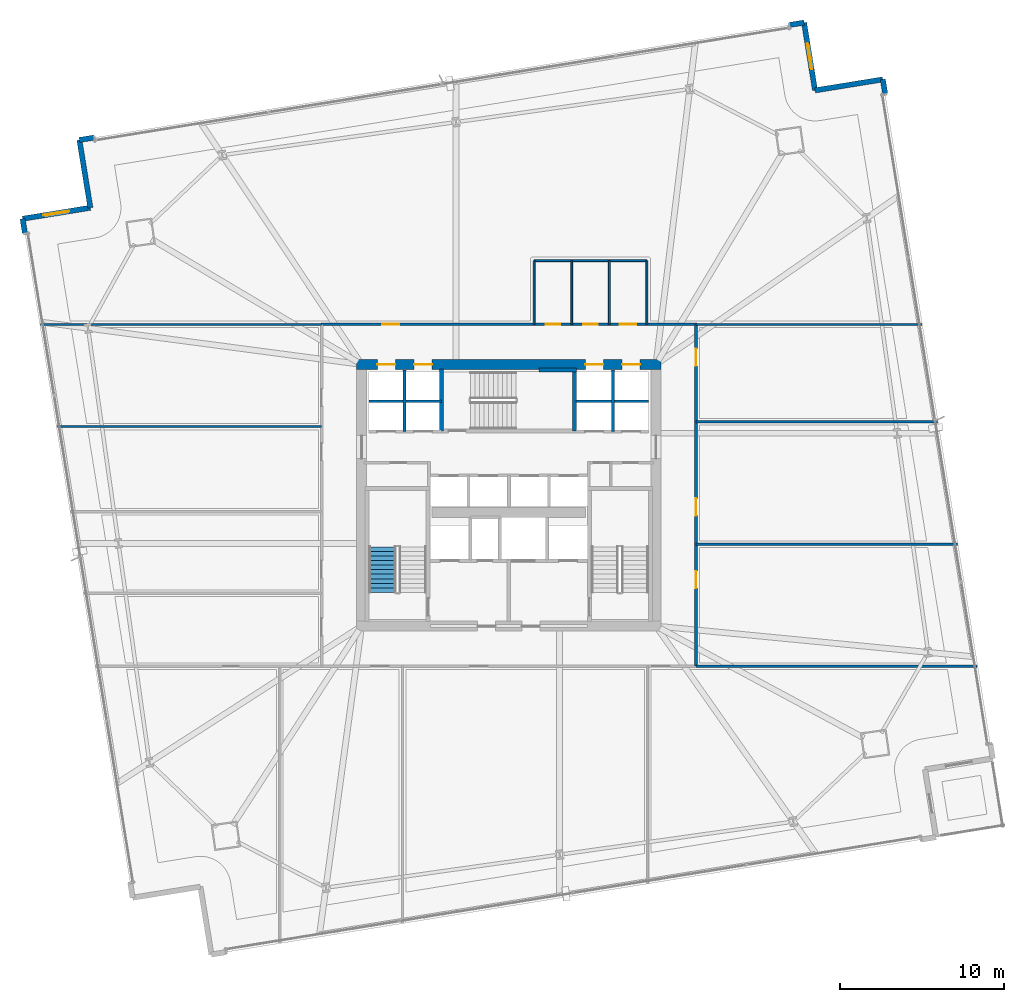
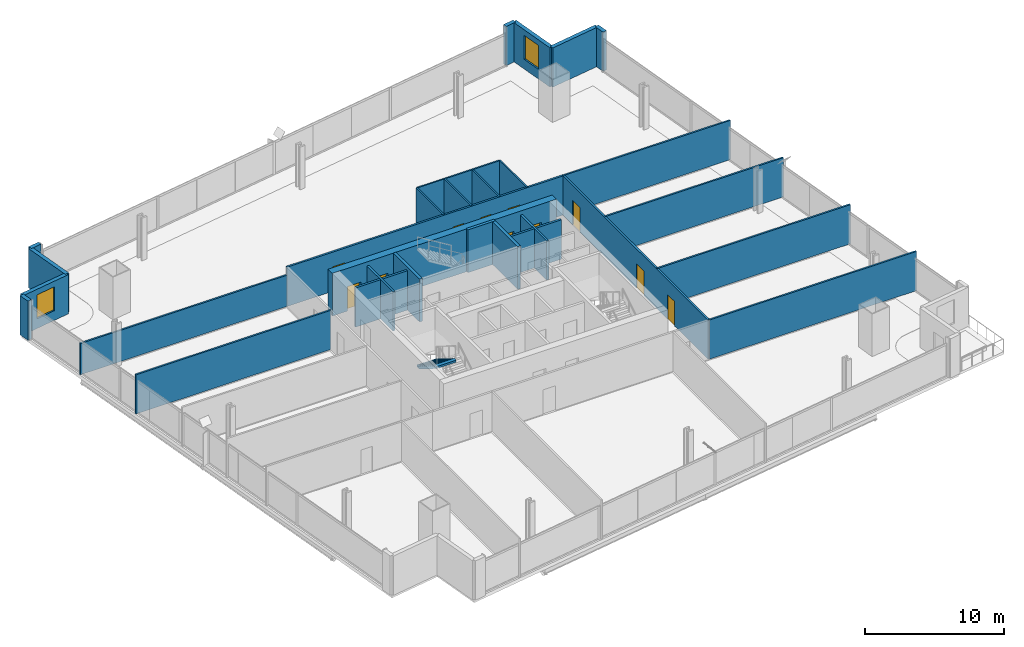
# One storey, part 27 of 33: 29 walls, 11 doors, 2 windows, 1 stair flight, 13 openings, 1 element without a shape of its own.
"""IFC4 building model written with IfcOpenShell, lengths in metres."""

import ifcopenshell
import ifcopenshell.guid

model = None  # the IFC model being written
_history = None  # IfcOwnerHistory: only IFC2X3 demands one
_inside = {}  # id of a spatial element -> (the spatial element, [elements in it])
_under = {}  # id of a project, library or spatial element -> (it, [spatial elements below it])
_declared = {}  # id of a project -> (the project, [libraries it declares])
_typed = {}  # id of a type object -> (the type object, [elements of that type])
_made_of = {}  # id of a material, layer set ... -> (it, [elements and type objects made of it])


def new_model(schema):
    """Start an empty IFC model of exactly this schema.

    Asked for "IFC4X3", IfcOpenShell would pick the latest addendum, in which some entities
    have other attributes; the version numbers below select the first issue.
    IFC2X3 requires an IfcOwnerHistory on every rooted entity: one is made here for all.
    """
    global model, _history
    if schema == "IFC4X3":
        model = ifcopenshell.file(schema_version=(4, 3, 0, 0))
    else:
        model = ifcopenshell.file(schema=schema)
    _inside.clear()
    _under.clear()
    _declared.clear()
    _typed.clear()
    _made_of.clear()
    _history = None
    if model.schema == "IFC2X3":
        org = make("IfcOrganization", Name="unknown")
        user = make(
            "IfcPersonAndOrganization",
            ThePerson=make("IfcPerson", FamilyName="unknown"),
            TheOrganization=org,
        )
        app = make(
            "IfcApplication",
            ApplicationDeveloper=org,
            Version="unknown",
            ApplicationFullName="unknown",
            ApplicationIdentifier="unknown",
        )
        _history = make(
            "IfcOwnerHistory",
            OwningUser=user,
            OwningApplication=app,
            ChangeAction="ADDED",
            CreationDate=0,
        )
    return model


def make(cls, **values):
    """One entity of the class cls with the attributes given. An attribute that is None is left unset."""
    return model.create_entity(
        cls, **{name: value for name, value in values.items() if value is not None}
    )


def rooted(cls, **values):
    """An entity with a GlobalId (a new one), such as an element, a storey or a relation."""
    return make(cls, GlobalId=ifcopenshell.guid.new(), OwnerHistory=_history, **values)


def si_unit(unit_type, name, prefix=None):
    """IfcSIUnit, for example si_unit("LENGTHUNIT", "METRE", prefix="MILLI")."""
    return make("IfcSIUnit", UnitType=unit_type, Prefix=prefix, Name=name)


def assignment(units):
    """IfcUnitAssignment: the units of a project."""
    return None if units is None else make("IfcUnitAssignment", Units=units)


def point(xyz):
    """IfcCartesianPoint."""
    return None if xyz is None else make("IfcCartesianPoint", Coordinates=xyz)


def direction(xyz):
    """IfcDirection."""
    return None if xyz is None else make("IfcDirection", DirectionRatios=xyz)


def frame(location, z_axis=None, x_axis=None):
    """IfcAxis2Placement3D, a coordinate frame: its origin and axes. An axis left out is left unset."""
    return make(
        "IfcAxis2Placement3D",
        Location=point(location),
        Axis=direction(z_axis),
        RefDirection=direction(x_axis),
    )


def frame_2d(location, x_axis=None):
    """IfcAxis2Placement2D, a coordinate frame in the plane: its origin and x axis."""
    return make(
        "IfcAxis2Placement2D", Location=point(location), RefDirection=direction(x_axis)
    )


def origin():
    """The frame at (0, 0, 0) with its axes left unset."""
    return frame((0.0, 0.0, 0.0))


def place(relative_to, where):
    """IfcLocalPlacement: puts the frame where relative to a parent placement (None: the world)."""
    return make(
        "IfcLocalPlacement", PlacementRelTo=relative_to, RelativePlacement=where
    )


def context(
    kind, dimensions, precision=None, world=None, true_north=None, identifier=None
):
    """IfcGeometricRepresentationContext, for example the 3D "Model" context."""
    return make(
        "IfcGeometricRepresentationContext",
        ContextIdentifier=identifier,
        ContextType=kind,
        CoordinateSpaceDimension=dimensions,
        Precision=precision,
        WorldCoordinateSystem=world,
        TrueNorth=true_north,
    )


def subcontext(parent, identifier, kind, view, scale=None):
    """IfcGeometricRepresentationSubContext, for example "Body" below "Model"."""
    return make(
        "IfcGeometricRepresentationSubContext",
        ContextIdentifier=identifier,
        ContextType=kind,
        ParentContext=parent,
        TargetScale=scale,
        TargetView=view,
    )


def project(units=None, contexts=None):
    """IfcProject with its units and contexts."""
    return rooted(
        "IfcProject",
        Name="project",
        RepresentationContexts=contexts,
        UnitsInContext=assignment(units),
    )


def spatial(cls, under=None, at=None, **own):
    """A site, building, storey or space (cls), placed at a placement, below another one or the project."""
    s = rooted(cls, ObjectPlacement=at, **own)
    if under is not None:
        _under.setdefault(under.id(), (under, []))[1].append(s)
    return s


def polyline(points):
    """IfcPolyline through the points."""
    return make("IfcPolyline", Points=[point(p) for p in points])


def profile(cls, at=None, kind="AREA", **sizes):
    """A parametric profile (cls). Its sizes go by their IFC names, for example OverallWidth=200.0."""
    return make(cls, ProfileType=kind, Position=at, **sizes)


def rectangle(**sizes):
    """IfcRectangleProfileDef."""
    return profile("IfcRectangleProfileDef", **sizes)


def outline(outer, holes=None, kind="AREA"):
    """IfcArbitraryClosedProfileDef: a profile drawn as a closed curve; with holes, ...WithVoids."""
    if holes is None:
        return make("IfcArbitraryClosedProfileDef", ProfileType=kind, OuterCurve=outer)
    return make(
        "IfcArbitraryProfileDefWithVoids",
        ProfileType=kind,
        OuterCurve=outer,
        InnerCurves=holes,
    )


def extrude(swept, where, along, depth):
    """IfcExtrudedAreaSolid: the profile swept, set in the frame where, extruded along a direction by depth."""
    return make(
        "IfcExtrudedAreaSolid",
        SweptArea=swept,
        Position=where,
        ExtrudedDirection=direction(along),
        Depth=depth,
    )


def shape(context_of_items, identifier, shape_type, items):
    """IfcShapeRepresentation: the items that make up one representation, for example the "Body"."""
    return make(
        "IfcShapeRepresentation",
        ContextOfItems=context_of_items,
        RepresentationIdentifier=identifier,
        RepresentationType=shape_type,
        Items=items,
    )


def material(Name=None, Category=None):
    """IfcMaterial."""
    return make("IfcMaterial", Name=Name, Category=Category)


def layer(
    of_material, thickness, ventilated=None, Name=None, Category=None, Priority=None
):
    """IfcMaterialLayer: one layer of a wall or slab, of a material (None: an air gap)."""
    return make(
        "IfcMaterialLayer",
        Material=of_material,
        LayerThickness=thickness,
        IsVentilated=ventilated,
        Name=Name,
        Category=Category,
        Priority=Priority,
    )


def layer_set(layers, Name=None):
    """IfcMaterialLayerSet."""
    return make("IfcMaterialLayerSet", MaterialLayers=layers, LayerSetName=Name)


def made_of(thing, what):
    """Note that an element or type object is made of a material, layer set ...; save() writes the relation."""
    if what is not None:
        _made_of.setdefault(what.id(), (what, []))[1].append(thing)
    return thing


def type_object(cls, material=None, **own):
    """A type object (cls), such as IfcWallType, which elements share."""
    return made_of(rooted(cls, **own), material)


def element(
    cls,
    number,
    at=None,
    inside=None,
    cuts=None,
    type_object=None,
    material=None,
    context=None,
    identifier="Body",
    shape_type=None,
    held_by="IfcProductDefinitionShape",
    body=None,
    shapes=None,
    **own,
):
    """One element of the class cls, such as IfcWall. Its Tag is "e" and its number.

    at: its placement. inside: the storey or other place that contains it. cuts: it is an
    opening in that element (IfcRelVoidsElement). A single representation is given by context,
    identifier, shape_type and body (its items); several are given by shapes. held_by: the class
    of the entity that holds the representations. save() writes the other relations.
    """
    e = rooted(cls, Tag="e%d" % number, ObjectPlacement=at, **own)
    if body is not None:
        shapes = [shape(context, identifier, shape_type, body)]
    if shapes is not None:
        e.Representation = make(held_by, Representations=shapes)
    if inside is not None:
        _inside.setdefault(inside.id(), (inside, []))[1].append(e)
    if cuts is not None:
        rooted(
            "IfcRelVoidsElement", RelatingBuildingElement=cuts, RelatedOpeningElement=e
        )
    if type_object is not None:
        _typed.setdefault(type_object.id(), (type_object, []))[1].append(e)
    return made_of(e, material)


def fill(opening, filler):
    """IfcRelFillsElement: the door or window that sits in an opening."""
    return rooted(
        "IfcRelFillsElement",
        RelatingOpeningElement=opening,
        RelatedBuildingElement=filler,
    )


def aggregate(whole, parts):
    """IfcRelAggregates: a whole, such as a stair, and the parts it consists of."""
    return rooted("IfcRelAggregates", RelatingObject=whole, RelatedObjects=parts)


def save(model, path):
    """Write the relations noted so far, then the file.

    IfcRelAggregates (storeys below a building ...), IfcRelContainedInSpatialStructure (elements
    in a storey), IfcRelDefinesByType, IfcRelAssociatesMaterial and IfcRelDeclares: one each for
    every whole, place, type object, material and project.
    """
    for whole, parts in _under.values():
        aggregate(whole, parts)
    for where, things in _inside.values():
        rooted(
            "IfcRelContainedInSpatialStructure",
            RelatedElements=things,
            RelatingStructure=where,
        )
    for kind, things in _typed.values():
        rooted("IfcRelDefinesByType", RelatedObjects=things, RelatingType=kind)
    for what, things in _made_of.values():
        rooted("IfcRelAssociatesMaterial", RelatedObjects=things, RelatingMaterial=what)
    for by, libraries in _declared.values():
        rooted("IfcRelDeclares", RelatingContext=by, RelatedDefinitions=libraries)
    model.write(path)


model = new_model("IFC4")

# Units and contexts
model_context = context("Model", 3, precision=1e-05, world=origin(), true_north=direction((0.0, 1.0)))
body_context = subcontext(model_context, "Body", "Model", "MODEL_VIEW")
ifc_project = project(units=[si_unit("LENGTHUNIT", "METRE"), si_unit("AREAUNIT", "SQUARE_METRE"), si_unit("VOLUMEUNIT", "CUBIC_METRE"), si_unit("PLANEANGLEUNIT", "RADIAN"), si_unit("MASSUNIT", "GRAM", prefix="KILO")], contexts=[model_context])

# Site, building, storey
site_placement = place(None, origin())
site = spatial("IfcSite", under=ifc_project, at=site_placement, CompositionType="ELEMENT")
building_placement = place(site_placement, origin())
building = spatial("IfcBuilding", under=site, at=building_placement, Name="Haldenkirk Collegiate Tower", CompositionType="ELEMENT")
storey_placement = place(building_placement, frame((0.0, 0.0, 58.949951171875)))
storey = spatial("IfcBuildingStorey", under=building, at=storey_placement, Name="L13", CompositionType="ELEMENT", Elevation=58.949951171875)

# Wall, openings, doors
ifc_material_1 = material(Name="Concrete f'c 70 MPa", Category="concrete")
ifc_layer_1 = layer(ifc_material_1, 0.60009765625)
ifc_layer_set_1 = layer_set([ifc_layer_1], Name="Concrete f'c 70 MPa")
wall_type_1 = type_object("IfcWallType", Name="WL-CORE-600", PredefinedType="SHEAR", material=ifc_layer_set_1)
wall_1_placement = place(storey_placement, frame((26.699951171875, 34.0, 0.0), z_axis=(0.0, 0.0, 1.0), x_axis=(1.0, 0.0, 0.0)))
wall_1 = element("IfcWall", 1, at=wall_1_placement, inside=storey, type_object=wall_type_1, Name="L13 central core shear wall N", PredefinedType="SHEAR", context=body_context, shape_type="SweptSolid", body=[
    extrude(rectangle(XDim=18.60009765625, YDim=0.60009765625, at=frame_2d((9.300048828125, 0.0))), origin(), (0.0, 0.0, 1.0), 3.75),
])
opening_1_placement = place(wall_1_placement, frame((1.264892578125, 0.0, 0.0)))
opening_1 = element("IfcOpeningElement", 2, at=opening_1_placement, cuts=wall_1, Name="Opening LD-11", PredefinedType="OPENING", context=body_context, shape_type="SweptSolid", body=[
    extrude(rectangle(XDim=1.10009765625, YDim=2.14990234375, at=frame_2d((0.550048828125, 1.074951171875))), frame((0.0, 0.31005859375, 0.0), z_axis=(0.0, -1.0, 0.0), x_axis=(1.0, 0.0, 0.0)), (0.0, 0.0, 1.0), 0.6201171875),
])
opening_2_placement = place(wall_1_placement, frame((3.514892578125, 0.0, 0.0)))
opening_2 = element("IfcOpeningElement", 3, at=opening_2_placement, cuts=wall_1, Name="Opening LD-11", PredefinedType="OPENING", context=body_context, shape_type="SweptSolid", body=[
    extrude(rectangle(XDim=1.10009765625, YDim=2.14990234375, at=frame_2d((0.550048828125, 1.074951171875))), frame((0.0, 0.31005859375, 0.0), z_axis=(0.0, -1.0, 0.0), x_axis=(1.0, 0.0, 0.0)), (0.0, 0.0, 1.0), 0.6201171875),
])
opening_3_placement = place(wall_1_placement, frame((13.985107421875, 0.0, 0.0)))
opening_3 = element("IfcOpeningElement", 4, at=opening_3_placement, cuts=wall_1, Name="Opening LD-11", PredefinedType="OPENING", context=body_context, shape_type="SweptSolid", body=[
    extrude(rectangle(XDim=1.10009765625, YDim=2.14990234375, at=frame_2d((0.550048828125, 1.074951171875))), frame((0.0, 0.31005859375, 0.0), z_axis=(0.0, -1.0, 0.0), x_axis=(1.0, 0.0, 0.0)), (0.0, 0.0, 1.0), 0.6201171875),
])
opening_4_placement = place(wall_1_placement, frame((16.235107421875, 0.0, 0.0)))
opening_4 = element("IfcOpeningElement", 5, at=opening_4_placement, cuts=wall_1, Name="Opening LD-11", PredefinedType="OPENING", context=body_context, shape_type="SweptSolid", body=[
    extrude(rectangle(XDim=1.10009765625, YDim=2.14990234375, at=frame_2d((0.550048828125, 1.074951171875))), frame((0.0, 0.31005859375, 0.0), z_axis=(0.0, -1.0, 0.0), x_axis=(1.0, 0.0, 0.0)), (0.0, 0.0, 1.0), 0.6201171875),
])
ifc_material_2 = material(Name="Brushed architectural stainless steel", Category="steel")
ifc_layer_2 = layer(ifc_material_2, 0.06005859375)
ifc_layer_set_2 = layer_set([ifc_layer_2], Name="Brushed architectural stainless steel")
door_type_1 = type_object("IfcDoorType", Name="LD-PASS-1100", OperationType="NOTDEFINED", PredefinedType="DOOR", material=ifc_layer_set_2)
door_1_placement = place(opening_1_placement, origin())
door_1 = element("IfcDoor", 6, at=door_1_placement, inside=storey, type_object=door_type_1, Name="L13 Elevator PL3 sliding landing door", OperationType="SLIDING_TO_LEFT", OverallHeight=2.14990234375, OverallWidth=1.10009765625, PredefinedType="DOOR", context=body_context, shape_type="SweptSolid", body=[
    extrude(rectangle(XDim=1.10009765625, YDim=2.14990234375, at=frame_2d((0.550048828125, 1.074951171875))), frame((0.0, 0.02490234375, 0.0), z_axis=(0.0, -1.0, 0.0), x_axis=(1.0, 0.0, 0.0)), (0.0, 0.0, 1.0), 0.050048828125),
])
fill(opening_1, door_1)
door_2_placement = place(opening_2_placement, origin())
door_2 = element("IfcDoor", 7, at=door_2_placement, inside=storey, type_object=door_type_1, Name="L13 Elevator PL4 sliding landing door", OperationType="SLIDING_TO_LEFT", OverallHeight=2.14990234375, OverallWidth=1.10009765625, PredefinedType="DOOR", context=body_context, shape_type="SweptSolid", body=[
    extrude(rectangle(XDim=1.10009765625, YDim=2.14990234375, at=frame_2d((0.550048828125, 1.074951171875))), frame((0.0, 0.02490234375, 0.0), z_axis=(0.0, -1.0, 0.0), x_axis=(1.0, 0.0, 0.0)), (0.0, 0.0, 1.0), 0.050048828125),
])
fill(opening_2, door_2)
door_3_placement = place(opening_3_placement, origin())
door_3 = element("IfcDoor", 8, at=door_3_placement, inside=storey, type_object=door_type_1, Name="L13 Elevator PM3 sliding landing door", OperationType="SLIDING_TO_LEFT", OverallHeight=2.14990234375, OverallWidth=1.10009765625, PredefinedType="DOOR", context=body_context, shape_type="SweptSolid", body=[
    extrude(rectangle(XDim=1.10009765625, YDim=2.14990234375, at=frame_2d((0.550048828125, 1.074951171875))), frame((0.0, 0.02490234375, 0.0), z_axis=(0.0, -1.0, 0.0), x_axis=(1.0, 0.0, 0.0)), (0.0, 0.0, 1.0), 0.050048828125),
])
fill(opening_3, door_3)
door_4_placement = place(opening_4_placement, origin())
door_4 = element("IfcDoor", 9, at=door_4_placement, inside=storey, type_object=door_type_1, Name="L13 Elevator PM4 sliding landing door", OperationType="SLIDING_TO_LEFT", OverallHeight=2.14990234375, OverallWidth=1.10009765625, PredefinedType="DOOR", context=body_context, shape_type="SweptSolid", body=[
    extrude(rectangle(XDim=1.10009765625, YDim=2.14990234375, at=frame_2d((0.550048828125, 1.074951171875))), frame((0.0, 0.02490234375, 0.0), z_axis=(0.0, -1.0, 0.0), x_axis=(1.0, 0.0, 0.0)), (0.0, 0.0, 1.0), 0.050048828125),
])
fill(opening_4, door_4)

# Walls
ifc_material_3 = material(Name="Precast concrete f'c 40 MPa", Category="concrete")
ifc_layer_3 = layer(ifc_material_3, 0.320068359375)
ifc_layer_set_3 = layer_set([ifc_layer_3], Name="Precast concrete f'c 40 MPa")
wall_type_2 = type_object("IfcWallType", Name="WL-EXT-TWR-320", PredefinedType="STANDARD", material=ifc_layer_set_3)
wall_2_placement = place(storey_placement, frame((58.877685546875, 51.434814453125, 0.0), z_axis=(0.0, 0.0, 1.0), x_axis=(0.159778256721, -0.987152930745, 0.0)))
element("IfcWall", 10, at=wall_2_placement, inside=storey, type_object=wall_type_2, Name="L13 precast corner pier EL", PredefinedType="STANDARD", context=body_context, shape_type="SweptSolid", body=[
    extrude(rectangle(XDim=0.89990234375, YDim=0.320068359375, at=frame_2d((0.449951171875, 0.0))), origin(), (0.0, 0.0, 1.0), 3.43994140625),
])
wall_3_placement = place(storey_placement, frame((54.731689453125, 50.763427734375, 0.0), z_axis=(0.0, 0.0, 1.0), x_axis=(0.987140703357, 0.159853782489, 0.0)))
element("IfcWall", 11, at=wall_3_placement, inside=storey, type_object=wall_type_2, Name="L13 bronze precast notch wall 05", PredefinedType="STANDARD", context=body_context, shape_type="SweptSolid", body=[
    extrude(rectangle(XDim=4.199951171875, YDim=0.320068359375, at=frame_2d((2.10009765625, 0.0))), origin(), (0.0, 0.0, 1.0), 3.43994140625),
])

# Wall, opening, window
wall_4_placement = place(storey_placement, frame((54.060302734375, 54.909423828125, 0.0), z_axis=(0.0, 0.0, 1.0), x_axis=(0.159853782489, -0.987140703357, 0.0)))
wall_4 = element("IfcWall", 12, at=wall_4_placement, inside=storey, type_object=wall_type_2, Name="L13 bronze precast notch wall 06", PredefinedType="STANDARD", context=body_context, shape_type="SweptSolid", body=[
    extrude(rectangle(XDim=4.199951171875, YDim=0.320068359375, at=frame_2d((2.10009765625, 0.0))), origin(), (0.0, 0.0, 1.0), 3.43994140625),
])
opening_5_placement = place(wall_4_placement, frame((1.300048828125, 0.0, 0.85009765625)))
opening_5 = element("IfcOpeningElement", 13, at=opening_5_placement, cuts=wall_4, Name="Opening W-03", PredefinedType="OPENING", context=body_context, shape_type="SweptSolid", body=[
    extrude(rectangle(XDim=1.60009765625, YDim=2.10009765625, at=frame_2d((0.800048828125, 1.050048828125))), frame((0.0, 0.169921875, 0.0), z_axis=(0.0, -1.0, 0.0), x_axis=(1.0, 0.0, 0.0)), (0.0, 0.0, 1.0), 0.340087890625),
])
ifc_material_4 = material(Name="Low-E argon triple insulating glass", Category="glass")
ifc_layer_4 = layer(ifc_material_4, 0.090087890625)
ifc_layer_set_4 = layer_set([ifc_layer_4], Name="Low-E argon triple insulating glass")
window_type = type_object("IfcWindowType", Name="WN-Z1-1600X2100", PartitioningType="SINGLE_PANEL", PredefinedType="WINDOW", material=ifc_layer_set_4)
window_1_placement = place(opening_5_placement, origin())
window_1 = element("IfcWindow", 14, at=window_1_placement, inside=storey, type_object=window_type, Name="L13 precast-frame academic window 5", OverallHeight=2.10009765625, OverallWidth=1.60009765625, PartitioningType="SINGLE_PANEL", PredefinedType="WINDOW", context=body_context, shape_type="SweptSolid", body=[
    extrude(rectangle(XDim=1.60009765625, YDim=2.10009765625, at=frame_2d((0.800048828125, 1.050048828125))), frame((0.0, 0.030029296875, 0.0), z_axis=(0.0, -1.0, 0.0), x_axis=(1.0, 0.0, 0.0)), (0.0, 0.0, 1.0), 0.06005859375),
])
fill(opening_5, window_1)

# Walls
wall_5_placement = place(storey_placement, frame((9.73779296875, 47.730712890625, 0.0), z_axis=(0.0, 0.0, 1.0), x_axis=(0.987152930745, 0.159778256721, 0.0)))
element("IfcWall", 15, at=wall_5_placement, inside=storey, type_object=wall_type_2, Name="L13 precast corner pier NL", PredefinedType="STANDARD", context=body_context, shape_type="SweptSolid", body=[
    extrude(rectangle(XDim=0.89990234375, YDim=0.320068359375, at=frame_2d((0.449951171875, 0.0))), origin(), (0.0, 0.0, 1.0), 3.43994140625),
])
wall_6_placement = place(storey_placement, frame((53.171875, 54.765380859375, 0.0), z_axis=(0.0, 0.0, 1.0), x_axis=(0.987110110933, 0.160042584625, 0.0)))
element("IfcWall", 16, at=wall_6_placement, inside=storey, type_object=wall_type_2, Name="L13 precast corner pier NR", PredefinedType="STANDARD", context=body_context, shape_type="SweptSolid", body=[
    extrude(rectangle(XDim=0.900146484375, YDim=0.320068359375, at=frame_2d((0.4501953125, 0.0))), origin(), (0.0, 0.0, 1.0), 3.43994140625),
])
wall_7_placement = place(storey_placement, frame((10.4091796875, 43.584716796875, 0.0), z_axis=(0.0, 0.0, 1.0), x_axis=(-0.159853782489, 0.987140703357, 0.0)))
element("IfcWall", 17, at=wall_7_placement, inside=storey, type_object=wall_type_2, Name="L13 bronze precast notch wall 08", PredefinedType="STANDARD", context=body_context, shape_type="SweptSolid", body=[
    extrude(rectangle(XDim=4.199951171875, YDim=0.320068359375, at=frame_2d((2.10009765625, 0.0))), origin(), (0.0, 0.0, 1.0), 3.43994140625),
])

# Wall, opening, window
wall_8_placement = place(storey_placement, frame((6.263427734375, 42.9130859375, 0.0), z_axis=(0.0, 0.0, 1.0), x_axis=(0.987130042681, 0.159919601167, 0.0)))
wall_8 = element("IfcWall", 18, at=wall_8_placement, inside=storey, type_object=wall_type_2, Name="L13 bronze precast notch wall 09", PredefinedType="STANDARD", context=body_context, shape_type="SweptSolid", body=[
    extrude(rectangle(XDim=4.19970703125, YDim=0.320068359375, at=frame_2d((2.099853515625, 0.0))), origin(), (0.0, 0.0, 1.0), 3.43994140625),
])
opening_6_placement = place(wall_8_placement, frame((1.300048828125, 0.0, 0.85009765625)))
opening_6 = element("IfcOpeningElement", 19, at=opening_6_placement, cuts=wall_8, Name="Opening W-03", PredefinedType="OPENING", context=body_context, shape_type="SweptSolid", body=[
    extrude(rectangle(XDim=1.60009765625, YDim=2.10009765625, at=frame_2d((0.800048828125, 1.050048828125))), frame((0.0, 0.169921875, 0.0), z_axis=(0.0, -1.0, 0.0), x_axis=(1.0, 0.0, 0.0)), (0.0, 0.0, 1.0), 0.340087890625),
])
window_2_placement = place(opening_6_placement, origin())
window_2 = element("IfcWindow", 20, at=window_2_placement, inside=storey, type_object=window_type, Name="L13 precast-frame academic window 8", OverallHeight=2.10009765625, OverallWidth=1.60009765625, PartitioningType="SINGLE_PANEL", PredefinedType="WINDOW", context=body_context, shape_type="SweptSolid", body=[
    extrude(rectangle(XDim=1.60009765625, YDim=2.10009765625, at=frame_2d((0.800048828125, 1.050048828125))), frame((0.0, 0.030029296875, 0.0), z_axis=(0.0, -1.0, 0.0), x_axis=(1.0, 0.0, 0.0)), (0.0, 0.0, 1.0), 0.06005859375),
])
fill(opening_6, window_2)

# Wall
wall_9_placement = place(storey_placement, frame((6.4072265625, 42.02490234375, 0.0), z_axis=(0.0, 0.0, 1.0), x_axis=(-0.159821054309, 0.987146002676, 0.0)))
element("IfcWall", 21, at=wall_9_placement, inside=storey, type_object=wall_type_2, Name="L13 precast corner pier WR", PredefinedType="STANDARD", context=body_context, shape_type="SweptSolid", body=[
    extrude(rectangle(XDim=0.899658203125, YDim=0.320068359375, at=frame_2d((0.44970703125, 0.0))), origin(), (0.0, 0.0, 1.0), 3.43994140625),
])

# Wall, openings, doors
ifc_material_5 = material(Name="Acoustic fire-rated gypsum partition", Category="concrete")
ifc_layer_5 = layer(ifc_material_5, 0.159912109375)
ifc_layer_set_5 = layer_set([ifc_layer_5], Name="Acoustic fire-rated gypsum partition")
wall_type_3 = type_object("IfcWallType", Name="WL-INT-CORR-160", PredefinedType="PARTITIONING", material=ifc_layer_set_5)
wall_10_placement = place(storey_placement, frame((24.5, 36.449951171875, 0.0), z_axis=(0.0, 0.0, 1.0), x_axis=(1.0, 0.0, 0.0)))
wall_10 = element("IfcWall", 22, at=wall_10_placement, inside=storey, type_object=wall_type_3, Name="L13 interior partition IW-L13-CN", PredefinedType="PARTITIONING", context=body_context, shape_type="SweptSolid", body=[
    extrude(rectangle(XDim=23.0, YDim=0.159912109375, at=frame_2d((11.5, 0.0))), origin(), (0.0, 0.0, 1.0), 3.43994140625),
])
opening_7_placement = place(wall_10_placement, frame((13.75, 0.0, 0.0)))
opening_7 = element("IfcOpeningElement", 23, at=opening_7_placement, cuts=wall_10, Name="Opening D-13", PredefinedType="OPENING", context=body_context, shape_type="SweptSolid", body=[
    extrude(rectangle(XDim=0.89990234375, YDim=2.14990234375, at=frame_2d((0.449951171875, 1.074951171875))), frame((0.0, 0.08984375, 0.0), z_axis=(0.0, -1.0, 0.0), x_axis=(1.0, 0.0, 0.0)), (0.0, 0.0, 1.0), 0.179931640625),
])
opening_8_placement = place(wall_10_placement, frame((16.050048828125, 0.0, 0.0)))
opening_8 = element("IfcOpeningElement", 24, at=opening_8_placement, cuts=wall_10, Name="Opening D-13", PredefinedType="OPENING", context=body_context, shape_type="SweptSolid", body=[
    extrude(rectangle(XDim=0.89990234375, YDim=2.14990234375, at=frame_2d((0.449951171875, 1.074951171875))), frame((0.0, 0.08984375, 0.0), z_axis=(0.0, -1.0, 0.0), x_axis=(1.0, 0.0, 0.0)), (0.0, 0.0, 1.0), 0.179931640625),
])
opening_9_placement = place(wall_10_placement, frame((18.300048828125, 0.0, 0.0)))
opening_9 = element("IfcOpeningElement", 25, at=opening_9_placement, cuts=wall_10, Name="Opening D-14", PredefinedType="OPENING", context=body_context, shape_type="SweptSolid", body=[
    extrude(rectangle(XDim=1.0, YDim=2.14990234375, at=frame_2d((0.5, 1.074951171875))), frame((0.0, 0.08984375, 0.0), z_axis=(0.0, -1.0, 0.0), x_axis=(1.0, 0.0, 0.0)), (0.0, 0.0, 1.0), 0.179931640625),
])
opening_10_placement = place(wall_10_placement, frame((3.7509765625, 0.0, 0.0)))
opening_10 = element("IfcOpeningElement", 26, at=opening_10_placement, cuts=wall_10, Name="Opening D-09", PredefinedType="OPENING", context=body_context, shape_type="SweptSolid", body=[
    extrude(rectangle(XDim=1.050048828125, YDim=2.14990234375, at=frame_2d((0.52490234375, 1.074951171875))), frame((0.0, 0.08984375, 0.0), z_axis=(0.0, -1.0, 0.0), x_axis=(1.0, 0.0, 0.0)), (0.0, 0.0, 1.0), 0.179931640625),
])
ifc_material_6 = material(Name="Solid-core architectural oak fire door", Category="wood")
ifc_layer_6 = layer(ifc_material_6, 0.06005859375)
ifc_layer_set_6 = layer_set([ifc_layer_6], Name="Solid-core architectural oak fire door")
door_type_2 = type_object("IfcDoorType", Name="DR-INT-ACC-1000", OperationType="NOTDEFINED", PredefinedType="DOOR", material=ifc_layer_set_6)
door_5_placement = place(opening_9_placement, origin())
door_5 = element("IfcDoor", 27, at=door_5_placement, inside=storey, type_object=door_type_2, Name="L13 Accessible WC door", OperationType="SINGLE_SWING_RIGHT", OverallHeight=2.14990234375, OverallWidth=1.0, PredefinedType="DOOR", context=body_context, shape_type="SweptSolid", body=[
    extrude(rectangle(XDim=1.0, YDim=2.14990234375, at=frame_2d((0.5, 1.074951171875))), frame((0.0, 0.02490234375, 0.0), z_axis=(0.0, -1.0, 0.0), x_axis=(1.0, 0.0, 0.0)), (0.0, 0.0, 1.0), 0.050048828125),
])
fill(opening_9, door_5)
ifc_layer_7 = layer(ifc_material_6, 0.06005859375)
ifc_layer_set_7 = layer_set([ifc_layer_7], Name="Solid-core architectural oak fire door")
door_type_3 = type_object("IfcDoorType", Name="DR-INT-FD60-1050", OperationType="NOTDEFINED", PredefinedType="DOOR", material=ifc_layer_set_7)
door_6_placement = place(opening_10_placement, origin())
door_6 = element("IfcDoor", 28, at=door_6_placement, inside=storey, type_object=door_type_3, Name="L13 Periodical Reading Lounge 5 door", OperationType="SINGLE_SWING_LEFT", OverallHeight=2.14990234375, OverallWidth=1.050048828125, PredefinedType="DOOR", context=body_context, shape_type="SweptSolid", body=[
    extrude(rectangle(XDim=1.050048828125, YDim=2.14990234375, at=frame_2d((0.52490234375, 1.074951171875))), frame((0.0, 0.02490234375, 0.0), z_axis=(0.0, -1.0, 0.0), x_axis=(1.0, 0.0, 0.0)), (0.0, 0.0, 1.0), 0.050048828125),
])
fill(opening_10, door_6)
ifc_layer_8 = layer(ifc_material_6, 0.06005859375)
ifc_layer_set_8 = layer_set([ifc_layer_8], Name="Solid-core architectural oak fire door")
door_type_4 = type_object("IfcDoorType", Name="DR-INT-STD-900", OperationType="NOTDEFINED", PredefinedType="DOOR", material=ifc_layer_set_8)
door_7_placement = place(opening_7_placement, origin())
door_7 = element("IfcDoor", 29, at=door_7_placement, inside=storey, type_object=door_type_4, Name="L13 Male WC door", OperationType="SINGLE_SWING_RIGHT", OverallHeight=2.14990234375, OverallWidth=0.89990234375, PredefinedType="DOOR", context=body_context, shape_type="SweptSolid", body=[
    extrude(rectangle(XDim=0.89990234375, YDim=2.14990234375, at=frame_2d((0.449951171875, 1.074951171875))), frame((0.0, 0.02490234375, 0.0), z_axis=(0.0, -1.0, 0.0), x_axis=(1.0, 0.0, 0.0)), (0.0, 0.0, 1.0), 0.050048828125),
])
fill(opening_7, door_7)
door_8_placement = place(opening_8_placement, origin())
door_8 = element("IfcDoor", 30, at=door_8_placement, inside=storey, type_object=door_type_4, Name="L13 Female WC door", OperationType="SINGLE_SWING_LEFT", OverallHeight=2.14990234375, OverallWidth=0.89990234375, PredefinedType="DOOR", context=body_context, shape_type="SweptSolid", body=[
    extrude(rectangle(XDim=0.89990234375, YDim=2.14990234375, at=frame_2d((0.449951171875, 1.074951171875))), frame((0.0, 0.02490234375, 0.0), z_axis=(0.0, -1.0, 0.0), x_axis=(1.0, 0.0, 0.0)), (0.0, 0.0, 1.0), 0.050048828125),
])
fill(opening_8, door_8)

wall_11_placement = place(storey_placement, frame((47.449951171875, 15.550048828125, 0.0), z_axis=(0.0, 0.0, 1.0), x_axis=(0.0, 1.0, 0.0)))
wall_11 = element("IfcWall", 31, at=wall_11_placement, inside=storey, type_object=wall_type_3, Name="L13 interior partition IW-L13-CE", PredefinedType="PARTITIONING", context=body_context, shape_type="SweptSolid", body=[
    extrude(rectangle(XDim=20.89990234375, YDim=0.159912109375, at=frame_2d((10.449951171875, 0.0))), origin(), (0.0, 0.0, 1.0), 3.43994140625),
])
opening_11_placement = place(wall_11_placement, frame((4.76708984375, 0.0, 0.0)))
opening_11 = element("IfcOpeningElement", 32, at=opening_11_placement, cuts=wall_11, Name="Opening D-09", PredefinedType="OPENING", context=body_context, shape_type="SweptSolid", body=[
    extrude(rectangle(XDim=1.050048828125, YDim=2.14990234375, at=frame_2d((0.52490234375, 1.074951171875))), frame((0.0, 0.08984375, 0.0), z_axis=(0.0, -1.0, 0.0), x_axis=(1.0, 0.0, 0.0)), (0.0, 0.0, 1.0), 0.179931640625),
])
opening_12_placement = place(wall_11_placement, frame((9.205078125, 0.0, 0.0)))
opening_12 = element("IfcOpeningElement", 33, at=opening_12_placement, cuts=wall_11, Name="Opening D-09", PredefinedType="OPENING", context=body_context, shape_type="SweptSolid", body=[
    extrude(rectangle(XDim=1.050048828125, YDim=2.14990234375, at=frame_2d((0.52490234375, 1.074951171875))), frame((0.0, 0.08984375, 0.0), z_axis=(0.0, -1.0, 0.0), x_axis=(1.0, 0.0, 0.0)), (0.0, 0.0, 1.0), 0.179931640625),
])
opening_13_placement = place(wall_11_placement, frame((18.364990234375, 0.0, 0.0)))
opening_13 = element("IfcOpeningElement", 34, at=opening_13_placement, cuts=wall_11, Name="Opening D-09", PredefinedType="OPENING", context=body_context, shape_type="SweptSolid", body=[
    extrude(rectangle(XDim=1.050048828125, YDim=2.14990234375, at=frame_2d((0.52490234375, 1.074951171875))), frame((0.0, 0.08984375, 0.0), z_axis=(0.0, -1.0, 0.0), x_axis=(1.0, 0.0, 0.0)), (0.0, 0.0, 1.0), 0.179931640625),
])
door_9_placement = place(opening_11_placement, origin())
door_9 = element("IfcDoor", 35, at=door_9_placement, inside=storey, type_object=door_type_3, Name="L13 Faculty Club Lounge 10 door", OperationType="SINGLE_SWING_RIGHT", OverallHeight=2.14990234375, OverallWidth=1.050048828125, PredefinedType="DOOR", context=body_context, shape_type="SweptSolid", body=[
    extrude(rectangle(XDim=1.050048828125, YDim=2.14990234375, at=frame_2d((0.52490234375, 1.074951171875))), frame((0.0, 0.02490234375, 0.0), z_axis=(0.0, -1.0, 0.0), x_axis=(1.0, 0.0, 0.0)), (0.0, 0.0, 1.0), 0.050048828125),
])
fill(opening_11, door_9)
door_10_placement = place(opening_12_placement, origin())
door_10 = element("IfcDoor", 36, at=door_10_placement, inside=storey, type_object=door_type_3, Name="L13 Periodical Reading Lounge 11 door", OperationType="SINGLE_SWING_LEFT", OverallHeight=2.14990234375, OverallWidth=1.050048828125, PredefinedType="DOOR", context=body_context, shape_type="SweptSolid", body=[
    extrude(rectangle(XDim=1.050048828125, YDim=2.14990234375, at=frame_2d((0.52490234375, 1.074951171875))), frame((0.0, 0.02490234375, 0.0), z_axis=(0.0, -1.0, 0.0), x_axis=(1.0, 0.0, 0.0)), (0.0, 0.0, 1.0), 0.050048828125),
])
fill(opening_12, door_10)
door_11_placement = place(opening_13_placement, origin())
door_11 = element("IfcDoor", 37, at=door_11_placement, inside=storey, type_object=door_type_3, Name="L13 Scholar Lounge 12 door", OperationType="SINGLE_SWING_RIGHT", OverallHeight=2.14990234375, OverallWidth=1.050048828125, PredefinedType="DOOR", context=body_context, shape_type="SweptSolid", body=[
    extrude(rectangle(XDim=1.050048828125, YDim=2.14990234375, at=frame_2d((0.52490234375, 1.074951171875))), frame((0.0, 0.02490234375, 0.0), z_axis=(0.0, -1.0, 0.0), x_axis=(1.0, 0.0, 0.0)), (0.0, 0.0, 1.0), 0.050048828125),
])
fill(opening_13, door_11)

# Walls
ifc_layer_9 = layer(ifc_material_5, 0.139892578125)
ifc_layer_set_9 = layer_set([ifc_layer_9], Name="Acoustic fire-rated gypsum partition")
wall_type_4 = type_object("IfcWallType", Name="WL-INT-DIV-140", PredefinedType="PARTITIONING", material=ifc_layer_set_9)
wall_12_placement = place(storey_placement, frame((7.3505859375, 36.449951171875, 0.0), z_axis=(0.0, 0.0, 1.0), x_axis=(1.0, 0.0, 0.0)))
element("IfcWall", 38, at=wall_12_placement, inside=storey, type_object=wall_type_4, Name="L13 interior partition IW-L13-BWN", PredefinedType="PARTITIONING", context=body_context, shape_type="SweptSolid", body=[
    extrude(rectangle(XDim=17.199462890625, YDim=0.139892578125, at=frame_2d((8.599609375, 0.0))), origin(), (0.0, 0.0, 1.0), 2.739013671875),
])
wall_13_placement = place(storey_placement, frame((47.449951171875, 15.550048828125, 0.0), z_axis=(0.0, 0.0, 1.0), x_axis=(1.0, 0.0, 0.0)))
element("IfcWall", 39, at=wall_13_placement, inside=storey, type_object=wall_type_4, Name="L13 interior partition IW-L13-BES", PredefinedType="PARTITIONING", context=body_context, shape_type="SweptSolid", body=[
    extrude(rectangle(XDim=17.199462890625, YDim=0.139892578125, at=frame_2d((8.599609375, 0.0))), origin(), (0.0, 0.0, 1.0), 3.43994140625),
])
wall_14_placement = place(storey_placement, frame((47.449951171875, 36.449951171875, 0.0), z_axis=(0.0, 0.0, 1.0), x_axis=(1.0, 0.0, 0.0)))
element("IfcWall", 40, at=wall_14_placement, inside=storey, type_object=wall_type_4, Name="L13 interior partition IW-L13-BEN", PredefinedType="PARTITIONING", context=body_context, shape_type="SweptSolid", body=[
    extrude(rectangle(XDim=13.814208984375, YDim=0.139892578125, at=frame_2d((6.9072265625, 0.0))), origin(), (0.0, 0.0, 1.0), 3.43994140625),
])
wall_15_placement = place(storey_placement, frame((8.363037109375, 30.199951171875, 0.0), z_axis=(0.0, 0.0, 1.0), x_axis=(1.0, 0.0, 0.0)))
element("IfcWall", 41, at=wall_15_placement, inside=storey, type_object=wall_type_4, Name="L13 interior partition IW-L13-RW3", PredefinedType="PARTITIONING", context=body_context, shape_type="SweptSolid", body=[
    extrude(rectangle(XDim=16.18701171875, YDim=0.139892578125, at=frame_2d((8.093505859375, 0.0))), origin(), (0.0, 0.0, 1.0), 3.43994140625),
])
wall_16_placement = place(storey_placement, frame((47.449951171875, 23.0, 0.0), z_axis=(0.0, 0.0, 1.0), x_axis=(1.0, 0.0, 0.0)))
element("IfcWall", 42, at=wall_16_placement, inside=storey, type_object=wall_type_4, Name="L13 interior partition IW-L13-RE1", PredefinedType="PARTITIONING", context=body_context, shape_type="SweptSolid", body=[
    extrude(rectangle(XDim=15.99267578125, YDim=0.139892578125, at=frame_2d((7.996337890625, 0.0))), origin(), (0.0, 0.0, 1.0), 3.43994140625),
])
wall_17_placement = place(storey_placement, frame((47.449951171875, 30.5, 0.0), z_axis=(0.0, 0.0, 1.0), x_axis=(1.0, 0.0, 0.0)))
element("IfcWall", 43, at=wall_17_placement, inside=storey, type_object=wall_type_4, Name="L13 interior partition IW-L13-RE2", PredefinedType="PARTITIONING", context=body_context, shape_type="SweptSolid", body=[
    extrude(rectangle(XDim=14.77783203125, YDim=0.139892578125, at=frame_2d((7.388916015625, 0.0))), origin(), (0.0, 0.0, 1.0), 3.43994140625),
])
ifc_material_7 = material(Name="Fire-rated gypsum shaftboard assembly", Category="concrete")
ifc_layer_10 = layer(ifc_material_7, 0.179931640625)
ifc_layer_set_10 = layer_set([ifc_layer_10], Name="Fire-rated gypsum shaftboard assembly")
wall_type_5 = type_object("IfcWallType", Name="WL-INT-SHAFT-180", PredefinedType="PARTITIONING", material=ifc_layer_set_10)
wall_18_placement = place(storey_placement, frame((27.449951171875, 31.75, 0.0), z_axis=(0.0, 0.0, 1.0), x_axis=(1.0, 0.0, 0.0)))
element("IfcWall", 44, at=wall_18_placement, inside=storey, type_object=wall_type_5, Name="L13 interior partition IW-L13-PLM", PredefinedType="PARTITIONING", context=body_context, shape_type="SweptSolid", body=[
    extrude(rectangle(XDim=4.429931640625, YDim=0.179931640625, at=frame_2d((2.21484375, 0.0))), origin(), (0.0, 0.0, 1.0), 3.43994140625),
])
wall_19_placement = place(storey_placement, frame((29.6298828125, 29.89990234375, 0.0), z_axis=(0.0, 0.0, 1.0), x_axis=(0.0, 1.0, 0.0)))
element("IfcWall", 45, at=wall_19_placement, inside=storey, type_object=wall_type_5, Name="L13 interior partition IW-L13-PLV", PredefinedType="PARTITIONING", context=body_context, shape_type="SweptSolid", body=[
    extrude(rectangle(XDim=3.75, YDim=0.179931640625, at=frame_2d((1.875, 0.0))), origin(), (0.0, 0.0, 1.0), 3.43994140625),
])
wall_20_placement = place(storey_placement, frame((40.1201171875, 31.75, 0.0), z_axis=(0.0, 0.0, 1.0), x_axis=(1.0, 0.0, 0.0)))
element("IfcWall", 46, at=wall_20_placement, inside=storey, type_object=wall_type_5, Name="L13 interior partition IW-L13-PMM", PredefinedType="PARTITIONING", context=body_context, shape_type="SweptSolid", body=[
    extrude(rectangle(XDim=4.429931640625, YDim=0.179931640625, at=frame_2d((2.21484375, 0.0))), origin(), (0.0, 0.0, 1.0), 3.43994140625),
])
wall_21_placement = place(storey_placement, frame((42.3701171875, 29.89990234375, 0.0), z_axis=(0.0, 0.0, 1.0), x_axis=(0.0, 1.0, 0.0)))
element("IfcWall", 47, at=wall_21_placement, inside=storey, type_object=wall_type_5, Name="L13 interior partition IW-L13-PMV", PredefinedType="PARTITIONING", context=body_context, shape_type="SweptSolid", body=[
    extrude(rectangle(XDim=3.75, YDim=0.179931640625, at=frame_2d((1.875, 0.0))), origin(), (0.0, 0.0, 1.0), 3.43994140625),
])
ifc_layer_11 = layer(ifc_material_5, 0.1201171875)
ifc_layer_set_11 = layer_set([ifc_layer_11], Name="Acoustic fire-rated gypsum partition")
wall_type_6 = type_object("IfcWallType", Name="WL-INT-WET-120", PredefinedType="PARTITIONING", material=ifc_layer_set_11)
for number, where, z_axis, x_axis, name in (
    (48, (37.550048828125, 36.449951171875, 0.0), (0.0, 0.0, 1.0), (0.0, 1.0, 0.0), "L13 interior partition IW-L13-WCW"),
    (49, (39.85009765625, 36.449951171875, 0.0), (0.0, 0.0, 1.0), (0.0, 1.0, 0.0), "L13 interior partition IW-L13-WC1"),
    (50, (42.14990234375, 36.449951171875, 0.0), (0.0, 0.0, 1.0), (0.0, 1.0, 0.0), "L13 interior partition IW-L13-WC2"),
    (51, (44.449951171875, 36.449951171875, 0.0), (0.0, 0.0, 1.0), (0.0, 1.0, 0.0), "L13 interior partition IW-L13-WCE"),
):
    element("IfcWall", number, at=place(storey_placement, frame(where, z_axis=z_axis, x_axis=x_axis)), inside=storey, type_object=wall_type_6, Name=name, PredefinedType="PARTITIONING", context=body_context, shape_type="SweptSolid", body=[
        extrude(rectangle(XDim=3.900146484375, YDim=0.1201171875, at=frame_2d((1.9501953125, 0.0))), origin(), (0.0, 0.0, 1.0), 3.43994140625),
    ])
wall_22_placement = place(storey_placement, frame((37.550048828125, 40.35009765625, 0.0), z_axis=(0.0, 0.0, 1.0), x_axis=(1.0, 0.0, 0.0)))
element("IfcWall", 52, at=wall_22_placement, inside=storey, type_object=wall_type_6, Name="L13 interior partition IW-L13-WCB", PredefinedType="PARTITIONING", context=body_context, shape_type="SweptSolid", body=[
    extrude(rectangle(XDim=6.89990234375, YDim=0.1201171875, at=frame_2d((3.449951171875, 0.0))), origin(), (0.0, 0.0, 1.0), 3.43994140625),
])
ifc_material_8 = material(Name="Concrete f'c 55 MPa", Category="concrete")
ifc_layer_12 = layer(ifc_material_8, 0.239990234375)
ifc_layer_set_12 = layer_set([ifc_layer_12], Name="Concrete f'c 55 MPa")
wall_type_7 = type_object("IfcWallType", Name="WL-SHAFT-240", PredefinedType="SHEAR", material=ifc_layer_set_12)
wall_23_placement = place(storey_placement, frame((31.8798828125, 29.929931640625, 0.0), z_axis=(0.0, 0.0, 1.0), x_axis=(0.0, 1.0, 0.0)))
element("IfcWall", 53, at=wall_23_placement, inside=storey, type_object=wall_type_7, Name="L13 stair shaft shear wall SW-L13-ST3W", PredefinedType="SHEAR", context=body_context, shape_type="SweptSolid", body=[
    extrude(rectangle(XDim=3.7900390625, YDim=0.239990234375, at=frame_2d((1.89501953125, 0.0))), origin(), (0.0, 0.0, 1.0), 3.75),
])
wall_24_placement = place(storey_placement, frame((40.02001953125, 29.929931640625, 0.0), z_axis=(0.0, 0.0, 1.0), x_axis=(0.0, 1.0, 0.0)))
element("IfcWall", 54, at=wall_24_placement, inside=storey, type_object=wall_type_7, Name="L13 stair shaft shear wall SW-L13-ST3E", PredefinedType="SHEAR", context=body_context, shape_type="SweptSolid", body=[
    extrude(rectangle(XDim=3.85009765625, YDim=0.239990234375, at=frame_2d((1.925048828125, 0.0))), origin(), (0.0, 0.0, 1.0), 3.75),
])
wall_25_placement = place(storey_placement, frame((37.85009765625, 33.659912109375, 0.0), z_axis=(0.0, 0.0, 1.0), x_axis=(1.0, 0.0, 0.0)))
element("IfcWall", 55, at=wall_25_placement, inside=storey, type_object=wall_type_7, Name="L13 stair shaft shear wall SW-L13-ST3N", PredefinedType="SHEAR", context=body_context, shape_type="SweptSolid", body=[
    extrude(rectangle(XDim=2.289794921875, YDim=0.239990234375, at=frame_2d((1.14501953125, 0.0))), origin(), (0.0, 0.0, 1.0), 3.75),
])

# Stair, stair flight
ifc_material_9 = material(Name="Concrete f'c 40 MPa", Category="concrete")
stair_type = type_object("IfcStairType", Name="STR-DOGLEG-1650", PredefinedType="HALF_TURN_STAIR", material=ifc_material_9)
stair_placement = place(storey_placement, origin())
stair = element("IfcStair", 56, at=stair_placement, inside=storey, type_object=stair_type, Name="L13 Core Exit Stair ST-1", PredefinedType="HALF_TURN_STAIR")
stair_flight_type = type_object("IfcStairFlightType", Name="STF-FLIGHT-1650", PredefinedType="STRAIGHT", material=ifc_material_9)
stair_flight_placement = place(storey_placement, frame((28.27490234375, 22.85009765625, 1.875), z_axis=(0.0, 0.0, 1.0), x_axis=(0.0, -1.0, 0.0)))
stair_flight = element("IfcStairFlight", 57, at=stair_flight_placement, type_object=stair_flight_type, Name="ST-1 flight 2", NumberOfRisers=11, NumberOfTreads=10, PredefinedType="STRAIGHT", RiserHeight=0.170454545, TreadLength=0.28, context=body_context, shape_type="SweptSolid", body=[
    extrude(outline(polyline([(0.0, 0.0), (0.0, 0.17041015625), (0.280029296875, 0.17041015625), (0.280029296875, 0.3408203125), (0.56005859375, 0.3408203125), (0.56005859375, 0.511474609375), (0.840087890625, 0.511474609375), (0.840087890625, 0.681884765625), (1.1201171875, 0.681884765625), (1.1201171875, 0.852294921875), (1.39990234375, 0.852294921875), (1.39990234375, 1.022705078125), (1.679931640625, 1.022705078125), (1.679931640625, 1.193115234375), (1.9599609375, 1.193115234375), (1.9599609375, 1.363525390625), (2.239990234375, 1.363525390625), (2.239990234375, 1.5341796875), (2.52001953125, 1.5341796875), (2.52001953125, 1.70458984375), (2.800048828125, 1.70458984375), (2.800048828125, 1.875), (2.800048828125, 1.529052734375), (0.288330078125, 0.0), (0.0, 0.0)])), frame((0.0, 0.824951171875, 0.0), z_axis=(0.0, -1.0, 0.0), x_axis=(1.0, 0.0, 0.0)), (0.0, 0.0, 1.0), 1.64990234375),
])
aggregate(stair, [stair_flight])

save(model, "model.ifc")
